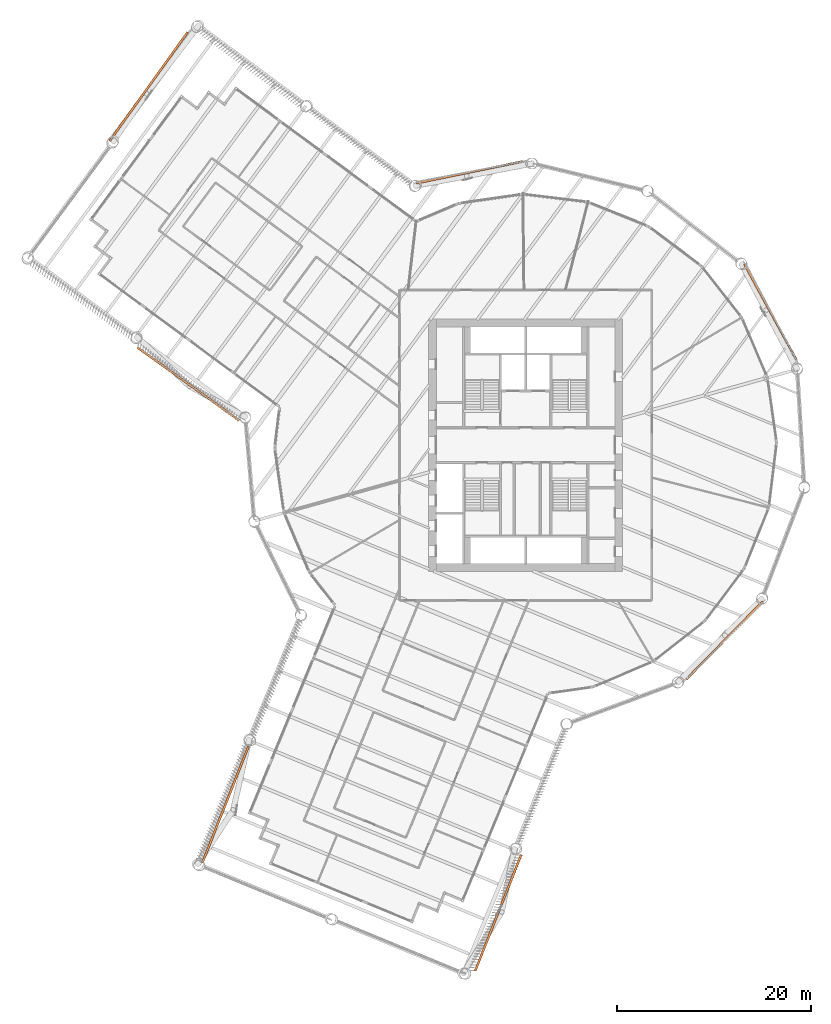
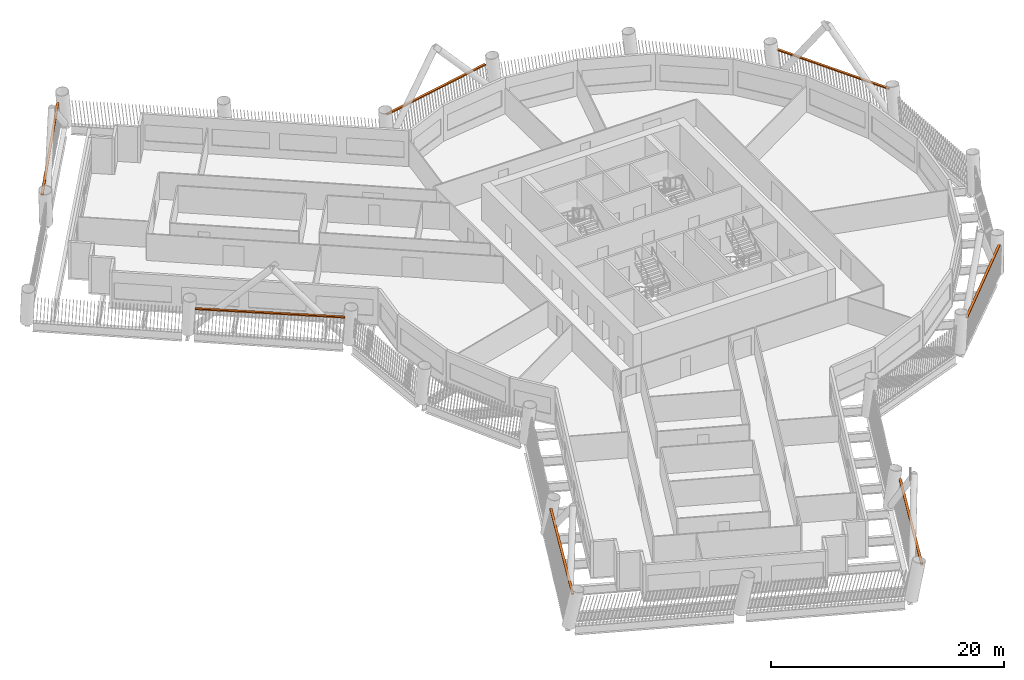
# One storey, part 23 of 23: 7 proxies.
"""IFC4 building model written with IfcOpenShell, lengths in metres."""

from ifc_helpers import new_model, si_unit, direction, frame, origin, origin_2d, place, context, subcontext, project, spatial, rectangle, extrude, material, type_object, element, save


model = new_model("IFC4")

# Units and contexts
model_context = context("Model", 3, precision=1e-05, world=origin(), true_north=direction((0.0, 1.0)))
body_context = subcontext(model_context, "Body", "Model", "MODEL_VIEW")
ifc_project = project(units=[si_unit("LENGTHUNIT", "METRE"), si_unit("AREAUNIT", "SQUARE_METRE"), si_unit("VOLUMEUNIT", "CUBIC_METRE"), si_unit("PLANEANGLEUNIT", "RADIAN"), si_unit("MASSUNIT", "GRAM", prefix="KILO")], contexts=[model_context])

# Site, building, storey
site_placement = place(None, origin())
site = spatial("IfcSite", under=ifc_project, at=site_placement, CompositionType="ELEMENT")
building_placement = place(site_placement, origin())
building = spatial("IfcBuilding", under=site, at=building_placement, Name="Tarsis Ring Headquarters", CompositionType="ELEMENT")
storey_placement = place(building_placement, frame((0.0, 0.0, 124.0)))
storey = spatial("IfcBuildingStorey", under=building, at=storey_placement, Name="L28", CompositionType="ELEMENT", Elevation=124.0)

# Proxies
ifc_material = material(Name="Structural steel S355", Category="steel")
building_element_proxy_type = type_object("IfcBuildingElementProxyType", Name="Screen bracket plate", PredefinedType="USERDEFINED", material=ifc_material)
for number, where, z_axis, x_axis, name in (
    (1, (-30.95263671875, -37.051025390625, 2.95263671875), (0.0, 0.0, 1.0), (-0.368449067245, -0.929647935966, 0.0), "Screen bracket L28-02"),
    (2, (-2.83349609375, -48.195556640625, 2.95263671875), (0.0, 0.0, 1.0), (0.368449067245, 0.929647935966, 0.0), "Screen bracket L28-05"),
):
    element("IfcBuildingElementProxy", number, at=place(storey_placement, frame(where, z_axis=z_axis, x_axis=x_axis)), inside=storey, type_object=building_element_proxy_type, Name=name, ObjectType="Bracket", PredefinedType="USERDEFINED", context=body_context, shape_type="SweptSolid", body=[
        extrude(rectangle(XDim=12.90234375, YDim=0.222900390625, at=origin_2d()), origin(), (0.0, 0.0, 1.0), 0.1201171875),
    ])
for number, where, z_axis, x_axis, name in (
    (3, (20.4921875, -20.12109375, 2.95263671875), (0.0, 0.0, 1.0), (0.700613239244, 0.713541231462, 0.0), "Screen bracket L28-08"),
    (4, (25.2265625, 13.72607421875, 2.95263671875), (0.0, 0.0, 1.0), (-0.47794463936, 0.878389959931, 0.0), "Screen bracket L28-11"),
    (5, (-5.764404296875, 28.134765625, 2.95263671875), (0.0, 0.0, 1.0), (-0.979649853085, -0.200714138391, 0.0), "Screen bracket L28-14"),
):
    element("IfcBuildingElementProxy", number, at=place(storey_placement, frame(where, z_axis=z_axis, x_axis=x_axis)), inside=storey, type_object=building_element_proxy_type, Name=name, ObjectType="Bracket", PredefinedType="USERDEFINED", context=body_context, shape_type="SweptSolid", body=[
        extrude(rectangle(XDim=11.248779296875, YDim=0.222900390625, at=origin_2d()), origin(), (0.0, 0.0, 1.0), 0.1201171875),
    ])
proxy_1_placement = place(storey_placement, frame((-38.874267578125, 36.954833984375, 2.95263671875), z_axis=(0.0, 0.0, 1.0), x_axis=(-0.582406760395, -0.812897512265, 0.0)))
element("IfcBuildingElementProxy", 6, at=proxy_1_placement, inside=storey, type_object=building_element_proxy_type, Name="Screen bracket L28-17", ObjectType="Bracket", PredefinedType="USERDEFINED", context=body_context, shape_type="SweptSolid", body=[
    extrude(rectangle(XDim=13.800048828125, YDim=0.222900390625, at=origin_2d()), origin(), (0.0, 0.0, 1.0), 0.1201171875),
])
proxy_2_placement = place(storey_placement, frame((-34.77734375, 6.31201171875, 2.95263671875), z_axis=(0.0, 0.0, 1.0), x_axis=(0.812897471605, -0.582406817146, 0.0)))
element("IfcBuildingElementProxy", 7, at=proxy_2_placement, inside=storey, type_object=building_element_proxy_type, Name="Screen bracket L28-20", ObjectType="Bracket", PredefinedType="USERDEFINED", context=body_context, shape_type="SweptSolid", body=[
    extrude(rectangle(XDim=12.90234375, YDim=0.222900390625, at=origin_2d()), origin(), (0.0, 0.0, 1.0), 0.1201171875),
])

save(model, "model.ifc")
